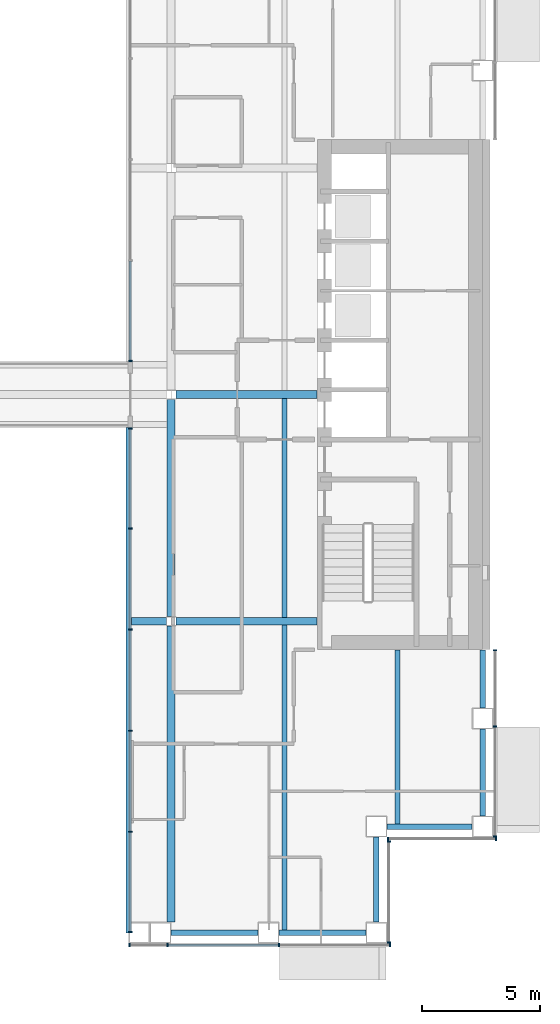
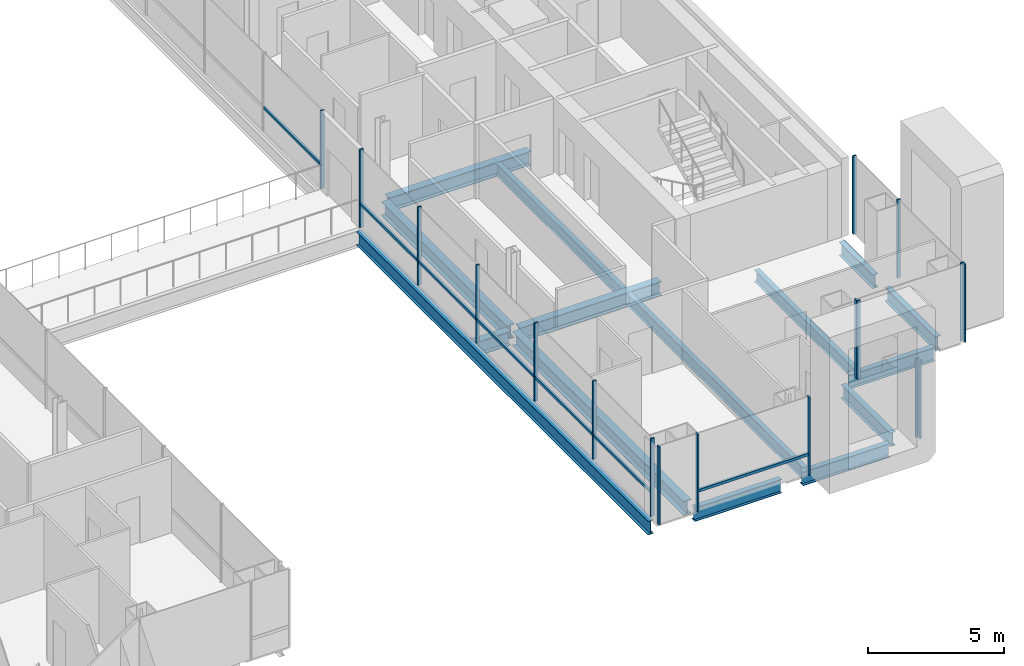
# One storey, part 4 of 17: 25 members, 15 beams, 6 elements without a shape of their own.
"""IFC4 building model written with IfcOpenShell, lengths in metres."""

from ifc_helpers import new_model, si_unit, direction, frame, origin, origin_2d, place, context, subcontext, project, spatial, rectangle, i_section, extrude, material, material_profile, profile_set, type_object, element, aggregate, save


model = new_model("IFC4")

# Units and contexts
model_context = context("Model", 3, precision=1e-05, world=origin(), true_north=direction((0.0, 1.0)))
body_context = subcontext(model_context, "Body", "Model", "MODEL_VIEW")
ifc_project = project(units=[si_unit("LENGTHUNIT", "METRE"), si_unit("AREAUNIT", "SQUARE_METRE"), si_unit("VOLUMEUNIT", "CUBIC_METRE"), si_unit("PLANEANGLEUNIT", "RADIAN"), si_unit("MASSUNIT", "GRAM", prefix="KILO")], contexts=[model_context])

# Site, building, storey
site_placement = place(None, origin())
site = spatial("IfcSite", under=ifc_project, at=site_placement, CompositionType="ELEMENT")
building_placement = place(site_placement, origin())
building = spatial("IfcBuilding", under=site, at=building_placement, Name="Cobrizo Arcos Hotel Tower", CompositionType="ELEMENT")
storey_placement = place(building_placement, frame((0.0, 0.0, 131.0)))
storey = spatial("IfcBuildingStorey", under=building, at=storey_placement, Name="L33", CompositionType="ELEMENT", Elevation=131.0)

# Curtain wall, members
ifc_material_1 = material(Name="Aluminium 6063-T6 anodised bronze", Category="aluminium")
curtain_wall_type_1 = type_object("IfcCurtainWallType", Name="CW-A guest facade", PredefinedType="NOTDEFINED", material=ifc_material_1)
curtain_wall_1_placement = place(storey_placement, origin())
curtain_wall_1 = element("IfcCurtainWall", 1, at=curtain_wall_1_placement, inside=storey, type_object=curtain_wall_type_1, Name="CW-A L33 S face", PredefinedType="NOTDEFINED")
ifc_material_profile_1 = material_profile(ifc_material_1, rectangle(XDim=0.14990234375, YDim=0.06005859375, at=origin_2d()), Name="CW-A mullion 150x60")
ifc_profile_set_1 = profile_set([ifc_material_profile_1], Name="Aluminium 6063-T6 anodised bronze")
member_type_1 = type_object("IfcMemberType", Name="CW-A mullion 150x60", PredefinedType="MULLION", material=ifc_profile_set_1)
member_1_placement = place(storey_placement, frame((7.830078125, -23.324951171875, 0.0), z_axis=(0.0, 0.0, 1.0), x_axis=(0.0, -1.0, 0.0)))
member_1 = element("IfcMember", 2, at=member_1_placement, type_object=member_type_1, Name="CW-A mullion 1", PredefinedType="MULLION", context=body_context, shape_type="SweptSolid", body=[
    extrude(rectangle(XDim=0.14990234375, YDim=0.06005859375, at=origin_2d()), origin(), (0.0, 0.0, 1.0), 3.5),
])
member_2_placement = place(storey_placement, frame((9.449951171875, -23.324951171875, 0.0), z_axis=(0.0, 0.0, 1.0), x_axis=(0.0, -1.0, 0.0)))
member_2 = element("IfcMember", 3, at=member_2_placement, type_object=member_type_1, Name="CW-A mullion 2", PredefinedType="MULLION", context=body_context, shape_type="SweptSolid", body=[
    extrude(rectangle(XDim=0.14990234375, YDim=0.06005859375, at=origin_2d()), origin(), (0.0, 0.0, 1.0), 3.5),
])
member_3_placement = place(storey_placement, frame((14.175048828125, -23.324951171875, 0.0), z_axis=(0.0, 0.0, 1.0), x_axis=(0.0, -1.0, 0.0)))
member_3 = element("IfcMember", 4, at=member_3_placement, type_object=member_type_1, Name="CW-A mullion 3", PredefinedType="MULLION", context=body_context, shape_type="SweptSolid", body=[
    extrude(rectangle(XDim=0.14990234375, YDim=0.06005859375, at=origin_2d()), origin(), (0.0, 0.0, 1.0), 3.5),
])
member_4_placement = place(storey_placement, frame((18.8701171875, -23.324951171875, 0.0), z_axis=(0.0, 0.0, 1.0), x_axis=(0.0, -1.0, 0.0)))
member_4 = element("IfcMember", 5, at=member_4_placement, type_object=member_type_1, Name="CW-A mullion 4", PredefinedType="MULLION", context=body_context, shape_type="SweptSolid", body=[
    extrude(rectangle(XDim=0.14990234375, YDim=0.06005859375, at=origin_2d()), origin(), (0.0, 0.0, 1.0), 3.5),
])

curtain_wall_2_placement = place(storey_placement, origin())
curtain_wall_2 = element("IfcCurtainWall", 6, at=curtain_wall_2_placement, inside=storey, type_object=curtain_wall_type_1, Name="CW-A L33 E face", PredefinedType="NOTDEFINED")
member_5_placement = place(storey_placement, frame((18.824951171875, -23.219970703125, 0.0), z_axis=(0.0, 0.0, 1.0), x_axis=(1.0, 0.0, 0.0)))
member_5 = element("IfcMember", 7, at=member_5_placement, type_object=member_type_1, Name="CW-A mullion 1", PredefinedType="MULLION", context=body_context, shape_type="SweptSolid", body=[
    extrude(rectangle(XDim=0.14990234375, YDim=0.06005859375, at=origin_2d()), origin(), (0.0, 0.0, 1.0), 3.5),
])
member_6_placement = place(storey_placement, frame((18.824951171875, -18.929931640625, 0.0), z_axis=(0.0, 0.0, 1.0), x_axis=(1.0, 0.0, 0.0)))
member_6 = element("IfcMember", 8, at=member_6_placement, type_object=member_type_1, Name="CW-A mullion 2", PredefinedType="MULLION", context=body_context, shape_type="SweptSolid", body=[
    extrude(rectangle(XDim=0.14990234375, YDim=0.06005859375, at=origin_2d()), origin(), (0.0, 0.0, 1.0), 3.5),
])
aggregate(curtain_wall_2, [member_5, member_6])

curtain_wall_3_placement = place(storey_placement, origin())
curtain_wall_3 = element("IfcCurtainWall", 9, at=curtain_wall_3_placement, inside=storey, type_object=curtain_wall_type_1, Name="CW-A L33 S face", PredefinedType="NOTDEFINED")
member_7_placement = place(storey_placement, frame((18.780029296875, -18.824951171875, 0.0), z_axis=(0.0, 0.0, 1.0), x_axis=(0.0, -1.0, 0.0)))
member_7 = element("IfcMember", 10, at=member_7_placement, type_object=member_type_1, Name="CW-A mullion 1", PredefinedType="MULLION", context=body_context, shape_type="SweptSolid", body=[
    extrude(rectangle(XDim=0.14990234375, YDim=0.06005859375, at=origin_2d()), origin(), (0.0, 0.0, 1.0), 3.5),
])
member_8_placement = place(storey_placement, frame((23.3701171875, -18.824951171875, 0.0), z_axis=(0.0, 0.0, 1.0), x_axis=(0.0, -1.0, 0.0)))
member_8 = element("IfcMember", 11, at=member_8_placement, type_object=member_type_1, Name="CW-A mullion 2", PredefinedType="MULLION", context=body_context, shape_type="SweptSolid", body=[
    extrude(rectangle(XDim=0.14990234375, YDim=0.06005859375, at=origin_2d()), origin(), (0.0, 0.0, 1.0), 3.5),
])
aggregate(curtain_wall_3, [member_7, member_8])

curtain_wall_4_placement = place(storey_placement, origin())
curtain_wall_4 = element("IfcCurtainWall", 12, at=curtain_wall_4_placement, inside=storey, type_object=curtain_wall_type_1, Name="CW-A L33 E face", PredefinedType="NOTDEFINED")
member_9_placement = place(storey_placement, frame((23.324951171875, -18.719970703125, 0.0), z_axis=(0.0, 0.0, 1.0), x_axis=(1.0, 0.0, 0.0)))
member_9 = element("IfcMember", 13, at=member_9_placement, type_object=member_type_1, Name="CW-A mullion 1", PredefinedType="MULLION", context=body_context, shape_type="SweptSolid", body=[
    extrude(rectangle(XDim=0.14990234375, YDim=0.06005859375, at=origin_2d()), origin(), (0.0, 0.0, 1.0), 3.5),
])
member_10_placement = place(storey_placement, frame((23.324951171875, -14.0625, 0.0), z_axis=(0.0, 0.0, 1.0), x_axis=(1.0, 0.0, 0.0)))
member_10 = element("IfcMember", 14, at=member_10_placement, type_object=member_type_1, Name="CW-A mullion 2", PredefinedType="MULLION", context=body_context, shape_type="SweptSolid", body=[
    extrude(rectangle(XDim=0.14990234375, YDim=0.06005859375, at=origin_2d()), origin(), (0.0, 0.0, 1.0), 3.5),
])
member_11_placement = place(storey_placement, frame((23.324951171875, -10.830078125, 0.0), z_axis=(0.0, 0.0, 1.0), x_axis=(1.0, 0.0, 0.0)))
member_11 = element("IfcMember", 15, at=member_11_placement, type_object=member_type_1, Name="CW-A mullion 3", PredefinedType="MULLION", context=body_context, shape_type="SweptSolid", body=[
    extrude(rectangle(XDim=0.14990234375, YDim=0.06005859375, at=origin_2d()), origin(), (0.0, 0.0, 1.0), 3.5),
])
aggregate(curtain_wall_4, [member_9, member_10, member_11])

# Member
ifc_material_profile_2 = material_profile(ifc_material_1, rectangle(XDim=0.10009765625, YDim=0.1201171875, at=origin_2d()), Name="CW-A transom 120x100")
ifc_profile_set_2 = profile_set([ifc_material_profile_2], Name="Aluminium 6063-T6 anodised bronze")
member_type_2 = type_object("IfcMemberType", Name="CW-A transom 120x100", PredefinedType="USERDEFINED", material=ifc_profile_set_2)
member_12_placement = place(storey_placement, frame((9.47998046875, -23.324951171875, 0.929931640625), z_axis=(1.0, 0.0, 0.0), x_axis=(0.0, 1.0, 0.0)))
member_12 = element("IfcMember", 16, at=member_12_placement, type_object=member_type_2, Name="CW-A transom 1223", ObjectType="TRANSOM", PredefinedType="USERDEFINED", context=body_context, shape_type="SweptSolid", body=[
    extrude(rectangle(XDim=0.10009765625, YDim=0.1201171875, at=origin_2d()), origin(), (0.0, 0.0, 1.0), 4.6650390625),
])

aggregate(curtain_wall_1, [member_1, member_2, member_3, member_4, member_12])

# Curtain wall, members
curtain_wall_type_2 = type_object("IfcCurtainWallType", Name="CW-F void screen", PredefinedType="NOTDEFINED", material=ifc_material_1)
curtain_wall_5_placement = place(storey_placement, origin())
curtain_wall_5 = element("IfcCurtainWall", 17, at=curtain_wall_5_placement, inside=storey, type_object=curtain_wall_type_2, Name="CW-F L33 void screen B", PredefinedType="NOTDEFINED")
ifc_material_profile_3 = material_profile(ifc_material_1, rectangle(XDim=0.14990234375, YDim=0.06005859375, at=origin_2d()), Name="CW-F mullion 150x60")
ifc_profile_set_3 = profile_set([ifc_material_profile_3], Name="Aluminium 6063-T6 anodised bronze")
member_type_3 = type_object("IfcMemberType", Name="CW-F mullion 150x60", PredefinedType="MULLION", material=ifc_profile_set_3)
member_13_placement = place(storey_placement, frame((7.875, -22.77001953125, 0.0), z_axis=(0.0, 0.0, 1.0), x_axis=(1.0, 0.0, 0.0)))
member_13 = element("IfcMember", 18, at=member_13_placement, type_object=member_type_3, Name="CW-F mullion 1", PredefinedType="MULLION", context=body_context, shape_type="SweptSolid", body=[
    extrude(rectangle(XDim=0.14990234375, YDim=0.06005859375, at=origin_2d()), origin(), (0.0, 0.0, 1.0), 3.5),
])
member_14_placement = place(storey_placement, frame((7.875, -18.52001953125, 0.0), z_axis=(0.0, 0.0, 1.0), x_axis=(1.0, 0.0, 0.0)))
member_14 = element("IfcMember", 19, at=member_14_placement, type_object=member_type_3, Name="CW-F mullion 2", PredefinedType="MULLION", context=body_context, shape_type="SweptSolid", body=[
    extrude(rectangle(XDim=0.14990234375, YDim=0.06005859375, at=origin_2d()), origin(), (0.0, 0.0, 1.0), 3.5),
])
member_15_placement = place(storey_placement, frame((7.875, -14.239990234375, 0.0), z_axis=(0.0, 0.0, 1.0), x_axis=(1.0, 0.0, 0.0)))
member_15 = element("IfcMember", 20, at=member_15_placement, type_object=member_type_3, Name="CW-F mullion 3", PredefinedType="MULLION", context=body_context, shape_type="SweptSolid", body=[
    extrude(rectangle(XDim=0.14990234375, YDim=0.06005859375, at=origin_2d()), origin(), (0.0, 0.0, 1.0), 3.5),
])
member_16_placement = place(storey_placement, frame((7.875, -9.9599609375, 0.0), z_axis=(0.0, 0.0, 1.0), x_axis=(1.0, 0.0, 0.0)))
member_16 = element("IfcMember", 21, at=member_16_placement, type_object=member_type_3, Name="CW-F mullion 4", PredefinedType="MULLION", context=body_context, shape_type="SweptSolid", body=[
    extrude(rectangle(XDim=0.14990234375, YDim=0.06005859375, at=origin_2d()), origin(), (0.0, 0.0, 1.0), 3.5),
])
member_17_placement = place(storey_placement, frame((7.875, -5.679931640625, 0.0), z_axis=(0.0, 0.0, 1.0), x_axis=(1.0, 0.0, 0.0)))
member_17 = element("IfcMember", 22, at=member_17_placement, type_object=member_type_3, Name="CW-F mullion 5", PredefinedType="MULLION", context=body_context, shape_type="SweptSolid", body=[
    extrude(rectangle(XDim=0.14990234375, YDim=0.06005859375, at=origin_2d()), origin(), (0.0, 0.0, 1.0), 3.5),
])
member_18_placement = place(storey_placement, frame((7.875, -1.429931640625, 0.0), z_axis=(0.0, 0.0, 1.0), x_axis=(1.0, 0.0, 0.0)))
member_18 = element("IfcMember", 23, at=member_18_placement, type_object=member_type_3, Name="CW-F mullion 6", PredefinedType="MULLION", context=body_context, shape_type="SweptSolid", body=[
    extrude(rectangle(XDim=0.14990234375, YDim=0.06005859375, at=origin_2d()), origin(), (0.0, 0.0, 1.0), 3.5),
])

# Curtain wall, member
curtain_wall_6_placement = place(storey_placement, origin())
curtain_wall_6 = element("IfcCurtainWall", 24, at=curtain_wall_6_placement, inside=storey, type_object=curtain_wall_type_2, Name="CW-F L33 void screen B", PredefinedType="NOTDEFINED")
member_19_placement = place(storey_placement, frame((7.875, 1.429931640625, 0.0), z_axis=(0.0, 0.0, 1.0), x_axis=(1.0, 0.0, 0.0)))
member_19 = element("IfcMember", 25, at=member_19_placement, type_object=member_type_3, Name="CW-F mullion 1", PredefinedType="MULLION", context=body_context, shape_type="SweptSolid", body=[
    extrude(rectangle(XDim=0.14990234375, YDim=0.06005859375, at=origin_2d()), origin(), (0.0, 0.0, 1.0), 3.5),
])

# Member
ifc_material_profile_4 = material_profile(ifc_material_1, rectangle(XDim=0.10009765625, YDim=0.1201171875, at=origin_2d()), Name="CW-F transom 120x100")
ifc_profile_set_4 = profile_set([ifc_material_profile_4], Name="Aluminium 6063-T6 anodised bronze")
member_type_4 = type_object("IfcMemberType", Name="CW-F transom 120x100", PredefinedType="USERDEFINED", material=ifc_profile_set_4)
member_20_placement = place(storey_placement, frame((7.875, -22.739990234375, 1.050048828125), z_axis=(0.0, 1.0, 0.0), x_axis=(-1.0, 0.0, 0.0)))
member_20 = element("IfcMember", 26, at=member_20_placement, type_object=member_type_4, Name="CW-F transom 2646", ObjectType="TRANSOM", PredefinedType="USERDEFINED", context=body_context, shape_type="SweptSolid", body=[
    extrude(rectangle(XDim=0.10009765625, YDim=0.1201171875, at=origin_2d()), origin(), (0.0, 0.0, 1.0), 4.18994140625),
])

member_21_placement = place(storey_placement, frame((7.875, -18.489990234375, 1.050048828125), z_axis=(0.0, 1.0, 0.0), x_axis=(-1.0, 0.0, 0.0)))
member_21 = element("IfcMember", 27, at=member_21_placement, type_object=member_type_4, Name="CW-F transom 2647", ObjectType="TRANSOM", PredefinedType="USERDEFINED", context=body_context, shape_type="SweptSolid", body=[
    extrude(rectangle(XDim=0.10009765625, YDim=0.1201171875, at=origin_2d()), origin(), (0.0, 0.0, 1.0), 4.219970703125),
])

member_22_placement = place(storey_placement, frame((7.875, -14.2099609375, 1.050048828125), z_axis=(0.0, 1.0, 0.0), x_axis=(-1.0, 0.0, 0.0)))
member_22 = element("IfcMember", 28, at=member_22_placement, type_object=member_type_4, Name="CW-F transom 2648", ObjectType="TRANSOM", PredefinedType="USERDEFINED", context=body_context, shape_type="SweptSolid", body=[
    extrude(rectangle(XDim=0.10009765625, YDim=0.1201171875, at=origin_2d()), origin(), (0.0, 0.0, 1.0), 4.219970703125),
])

member_23_placement = place(storey_placement, frame((7.875, -9.929931640625, 1.050048828125), z_axis=(0.0, 1.0, 0.0), x_axis=(-1.0, 0.0, 0.0)))
member_23 = element("IfcMember", 29, at=member_23_placement, type_object=member_type_4, Name="CW-F transom 2649", ObjectType="TRANSOM", PredefinedType="USERDEFINED", context=body_context, shape_type="SweptSolid", body=[
    extrude(rectangle(XDim=0.10009765625, YDim=0.1201171875, at=origin_2d()), origin(), (0.0, 0.0, 1.0), 4.219970703125),
])

member_24_placement = place(storey_placement, frame((7.875, -5.64990234375, 1.050048828125), z_axis=(0.0, 1.0, 0.0), x_axis=(-1.0, 0.0, 0.0)))
member_24 = element("IfcMember", 30, at=member_24_placement, type_object=member_type_4, Name="CW-F transom 2650", ObjectType="TRANSOM", PredefinedType="USERDEFINED", context=body_context, shape_type="SweptSolid", body=[
    extrude(rectangle(XDim=0.10009765625, YDim=0.1201171875, at=origin_2d()), origin(), (0.0, 0.0, 1.0), 4.18994140625),
])

aggregate(curtain_wall_5, [member_13, member_14, member_15, member_16, member_17, member_18, member_20, member_21, member_22, member_23, member_24])

member_25_placement = place(storey_placement, frame((7.875, 1.4599609375, 1.050048828125), z_axis=(0.0, 1.0, 0.0), x_axis=(-1.0, 0.0, 0.0)))
member_25 = element("IfcMember", 31, at=member_25_placement, type_object=member_type_4, Name="CW-F transom 2651", ObjectType="TRANSOM", PredefinedType="USERDEFINED", context=body_context, shape_type="SweptSolid", body=[
    extrude(rectangle(XDim=0.10009765625, YDim=0.1201171875, at=origin_2d()), origin(), (0.0, 0.0, 1.0), 4.18994140625),
])

aggregate(curtain_wall_6, [member_19, member_25])

# Beams
ifc_material_2 = material(Name="Steel ASTM A992 Grade 50", Category="steel")
ifc_material_profile_5 = material_profile(ifc_material_2, i_section(OverallWidth=0.209228515625, OverallDepth=0.533447265625, WebThickness=0.01025390625, FlangeThickness=0.015625, at=origin_2d()), Name="W21X62")
ifc_profile_set_5 = profile_set([ifc_material_profile_5], Name="Steel ASTM A992 Grade 50")
beam_type_1 = type_object("IfcBeamType", Name="W21X62 joist", PredefinedType="JOIST", material=ifc_profile_set_5)
beam_1_placement = place(storey_placement, frame((14.39990234375, -22.7099609375, -0.416748046875), z_axis=(0.0, 1.0, 0.0), x_axis=(-1.0, 0.0, 0.0)))
element("IfcBeam", 32, at=beam_1_placement, inside=storey, type_object=beam_type_1, Name="Floor joist J1, L33, no. 007", PredefinedType="JOIST", context=body_context, shape_type="SweptSolid", body=[
    extrude(i_section(OverallWidth=0.209228515625, OverallDepth=0.533447265625, WebThickness=0.01025390625, FlangeThickness=0.015625, at=origin_2d()), origin(), (0.0, 0.0, 1.0), 12.946044921875),
])
beam_2_placement = place(storey_placement, frame((14.39990234375, -9.43603515625, -0.416748046875), z_axis=(0.0, 1.0, 0.0), x_axis=(-1.0, 0.0, 0.0)))
element("IfcBeam", 33, at=beam_2_placement, inside=storey, type_object=beam_type_1, Name="Floor joist J1, L33, no. 008", PredefinedType="JOIST", context=body_context, shape_type="SweptSolid", body=[
    extrude(i_section(OverallWidth=0.209228515625, OverallDepth=0.533447265625, WebThickness=0.01025390625, FlangeThickness=0.015625, at=origin_2d()), origin(), (0.0, 0.0, 1.0), 9.272216796875),
])
beam_3_placement = place(storey_placement, frame((19.199951171875, -18.2099609375, -0.416748046875), z_axis=(0.0, 1.0, 0.0), x_axis=(-1.0, 0.0, 0.0)))
element("IfcBeam", 34, at=beam_3_placement, inside=storey, type_object=beam_type_1, Name="Floor joist J1, L33, no. 011", PredefinedType="JOIST", context=body_context, shape_type="SweptSolid", body=[
    extrude(i_section(OverallWidth=0.209228515625, OverallDepth=0.533447265625, WebThickness=0.01025390625, FlangeThickness=0.015625, at=origin_2d()), origin(), (0.0, 0.0, 1.0), 7.39990234375),
])
ifc_material_profile_6 = material_profile(ifc_material_2, i_section(OverallWidth=0.32763671875, OverallDepth=0.622314453125, WebThickness=0.015380859375, FlangeThickness=0.0244140625, at=origin_2d()), Name="W24X131")
ifc_profile_set_6 = profile_set([ifc_material_profile_6], Name="Steel ASTM A992 Grade 50")
beam_type_2 = type_object("IfcBeamType", Name="W24X131 girder", PredefinedType="BEAM", material=ifc_profile_set_6)
beam_4_placement = place(storey_placement, frame((7.889892578125, -9.60009765625, -0.461181640625), z_axis=(1.0, 0.0, 0.0), x_axis=(0.0, 1.0, 0.0)))
element("IfcBeam", 35, at=beam_4_placement, inside=storey, type_object=beam_type_2, Name="Floor girder G1, L33, no. 003", PredefinedType="BEAM", context=body_context, shape_type="SweptSolid", body=[
    extrude(i_section(OverallWidth=0.32763671875, OverallDepth=0.622314453125, WebThickness=0.015380859375, FlangeThickness=0.0244140625, at=origin_2d()), origin(), (0.0, 0.0, 1.0), 1.5107421875),
])
for number, where, z_axis, x_axis, name in (
    (36, (9.79931640625, -9.60009765625, -0.461181640625), (1.0, 0.0, 0.0), (0.0, 1.0, 0.0), "Floor girder G1, L33, no. 004"),
    (37, (9.79931640625, 0.0, -0.461181640625), (1.0, 0.0, 0.0), (0.0, 1.0, 0.0), "Floor girder G1, L33, no. 007"),
):
    element("IfcBeam", number, at=place(storey_placement, frame(where, z_axis=z_axis, x_axis=x_axis)), inside=storey, type_object=beam_type_2, Name=name, PredefinedType="BEAM", context=body_context, shape_type="SweptSolid", body=[
        extrude(i_section(OverallWidth=0.32763671875, OverallDepth=0.622314453125, WebThickness=0.015380859375, FlangeThickness=0.0244140625, at=origin_2d()), origin(), (0.0, 0.0, 1.0), 5.99072265625),
    ])
beam_5_placement = place(storey_placement, frame((9.60009765625, -22.35009765625, -0.461181640625), z_axis=(0.0, 1.0, 0.0), x_axis=(-1.0, 0.0, 0.0)))
element("IfcBeam", 38, at=beam_5_placement, inside=storey, type_object=beam_type_2, Name="Floor girder G1, L33, no. 016", PredefinedType="BEAM", context=body_context, shape_type="SweptSolid", body=[
    extrude(i_section(OverallWidth=0.32763671875, OverallDepth=0.622314453125, WebThickness=0.015380859375, FlangeThickness=0.0244140625, at=origin_2d()), origin(), (0.0, 0.0, 1.0), 12.55078125),
])
beam_6_placement = place(storey_placement, frame((9.60009765625, -9.400634765625, -0.461181640625), z_axis=(0.0, 1.0, 0.0), x_axis=(-1.0, 0.0, 0.0)))
element("IfcBeam", 39, at=beam_6_placement, inside=storey, type_object=beam_type_2, Name="Floor girder G1, L33, no. 017", PredefinedType="BEAM", context=body_context, shape_type="SweptSolid", body=[
    extrude(i_section(OverallWidth=0.32763671875, OverallDepth=0.622314453125, WebThickness=0.015380859375, FlangeThickness=0.0244140625, at=origin_2d()), origin(), (0.0, 0.0, 1.0), 9.201171875),
])
ifc_material_profile_7 = material_profile(ifc_material_2, i_section(OverallWidth=0.23046875, OverallDepth=0.6171875, WebThickness=0.01318359375, FlangeThickness=0.022216796875, at=origin_2d()), Name="W24X94")
ifc_profile_set_7 = profile_set([ifc_material_profile_7], Name="Steel ASTM A992 Grade 50")
beam_type_3 = type_object("IfcBeamType", Name="W24X94 spandrel", PredefinedType="SPANDREL", material=ifc_profile_set_7)
beam_7_placement = place(storey_placement, frame((22.800048828125, -10.81005859375, -0.45849609375), z_axis=(0.0, -1.0, 0.0), x_axis=(1.0, 0.0, 0.0)))
element("IfcBeam", 40, at=beam_7_placement, inside=storey, type_object=beam_type_3, Name="Spandrel beam W24X94, L33, no. 004", PredefinedType="SPANDREL", context=body_context, shape_type="SweptSolid", body=[
    extrude(i_section(OverallWidth=0.23046875, OverallDepth=0.6171875, WebThickness=0.01318359375, FlangeThickness=0.022216796875, at=origin_2d()), origin(), (0.0, 0.0, 1.0), 2.46484375),
])
beam_8_placement = place(storey_placement, frame((22.800048828125, -14.175048828125, -0.45849609375), z_axis=(0.0, -1.0, 0.0), x_axis=(1.0, 0.0, 0.0)))
element("IfcBeam", 41, at=beam_8_placement, inside=storey, type_object=beam_type_3, Name="Spandrel beam W24X94, L33, no. 005", PredefinedType="SPANDREL", context=body_context, shape_type="SweptSolid", body=[
    extrude(i_section(OverallWidth=0.23046875, OverallDepth=0.6171875, WebThickness=0.01318359375, FlangeThickness=0.022216796875, at=origin_2d()), origin(), (0.0, 0.0, 1.0), 3.675048828125),
])
for number, where, z_axis, x_axis, name in (
    (42, (22.35009765625, -18.300048828125, -0.45849609375), (-1.0, 0.0, 0.0), (0.0, -1.0, 0.0), "Spandrel beam W24X94, L33, no. 006"),
    (43, (18.300048828125, -18.75, -0.45849609375), (0.0, -1.0, 0.0), (1.0, 0.0, 0.0), "Spandrel beam W24X94, L33, no. 007"),
):
    element("IfcBeam", number, at=place(storey_placement, frame(where, z_axis=z_axis, x_axis=x_axis)), inside=storey, type_object=beam_type_3, Name=name, PredefinedType="SPANDREL", context=body_context, shape_type="SweptSolid", body=[
        extrude(i_section(OverallWidth=0.23046875, OverallDepth=0.6171875, WebThickness=0.01318359375, FlangeThickness=0.022216796875, at=origin_2d()), origin(), (0.0, 0.0, 1.0), 3.60009765625),
    ])
beam_9_placement = place(storey_placement, frame((17.85009765625, -22.800048828125, -0.45849609375), z_axis=(-1.0, 0.0, 0.0), x_axis=(0.0, -1.0, 0.0)))
element("IfcBeam", 44, at=beam_9_placement, inside=storey, type_object=beam_type_3, Name="Spandrel beam W24X94, L33, no. 008", PredefinedType="SPANDREL", context=body_context, shape_type="SweptSolid", body=[
    extrude(i_section(OverallWidth=0.23046875, OverallDepth=0.6171875, WebThickness=0.01318359375, FlangeThickness=0.022216796875, at=origin_2d()), origin(), (0.0, 0.0, 1.0), 3.675048828125),
])
beam_10_placement = place(storey_placement, frame((13.27490234375, -22.800048828125, -0.45849609375), z_axis=(-1.0, 0.0, 0.0), x_axis=(0.0, -1.0, 0.0)))
element("IfcBeam", 45, at=beam_10_placement, inside=storey, type_object=beam_type_3, Name="Spandrel beam W24X94, L33, no. 009", PredefinedType="SPANDREL", context=body_context, shape_type="SweptSolid", body=[
    extrude(i_section(OverallWidth=0.23046875, OverallDepth=0.6171875, WebThickness=0.01318359375, FlangeThickness=0.022216796875, at=origin_2d()), origin(), (0.0, 0.0, 1.0), 3.6748046875),
])
beam_11_placement = place(storey_placement, frame((7.800048828125, -22.800048828125, -0.45849609375), z_axis=(0.0, 1.0, 0.0), x_axis=(-1.0, 0.0, 0.0)))
element("IfcBeam", 46, at=beam_11_placement, inside=storey, type_object=beam_type_3, Name="Spandrel beam W24X94, L33, no. 010", PredefinedType="SPANDREL", context=body_context, shape_type="SweptSolid", body=[
    extrude(i_section(OverallWidth=0.23046875, OverallDepth=0.6171875, WebThickness=0.01318359375, FlangeThickness=0.022216796875, at=origin_2d()), origin(), (0.0, 0.0, 1.0), 21.400146484375),
])

save(model, "model.ifc")
